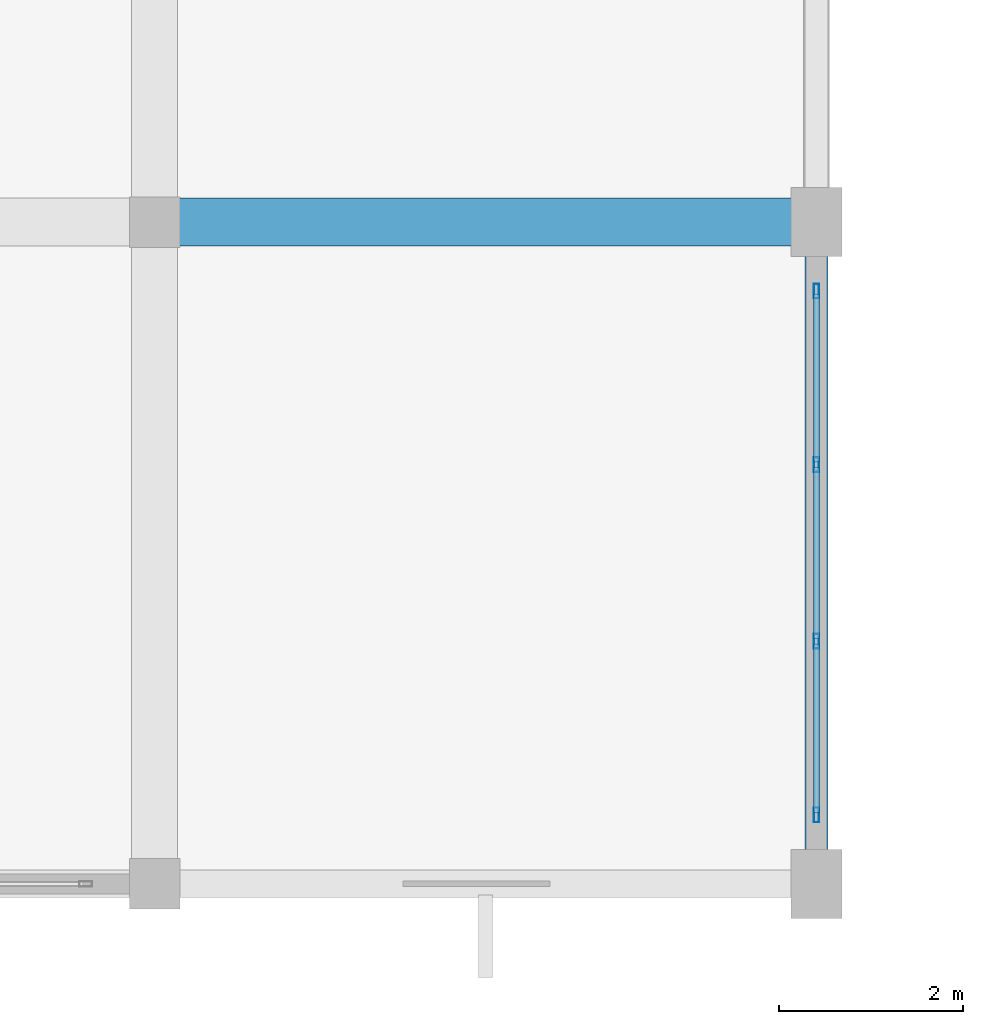
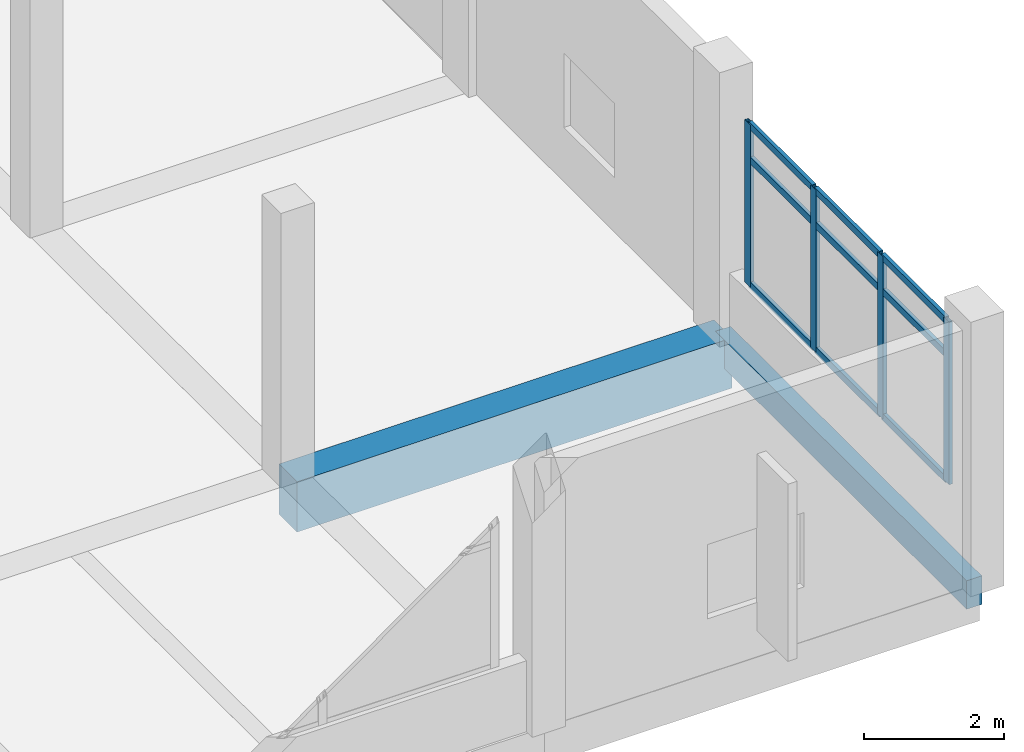
# One storey, part 87 of 140: 13 members, 2 beams, 1 element without a shape of its own.
"""IFC4 building model written with IfcOpenShell, lengths in metres."""

from ifc_helpers import new_model, si_unit, direction, frame, origin, origin_2d, place, context, subcontext, project, spatial, rectangle, hollow_rectangle, extrude, material, layer, layer_set, material_profile, profile_set, type_object, element, aggregate, save


model = new_model("IFC4")

# Units and contexts
model_context = context("Model", 3, precision=1e-05, world=origin(), true_north=direction((0.0, 1.0)))
body_context = subcontext(model_context, "Body", "Model", "MODEL_VIEW")
ifc_project = project(units=[si_unit("LENGTHUNIT", "METRE"), si_unit("AREAUNIT", "SQUARE_METRE"), si_unit("VOLUMEUNIT", "CUBIC_METRE"), si_unit("PLANEANGLEUNIT", "RADIAN"), si_unit("MASSUNIT", "GRAM", prefix="KILO")], contexts=[model_context])

# Site, building, storey
site_placement = place(None, origin())
site = spatial("IfcSite", under=ifc_project, at=site_placement, CompositionType="ELEMENT")
building_placement = place(site_placement, origin())
building = spatial("IfcBuilding", under=site, at=building_placement, Name="Seraya Terrace Polytechnic", CompositionType="ELEMENT")
storey_placement = place(building_placement, frame((0.0, 0.0, 9.60009765625)))
storey = spatial("IfcBuildingStorey", under=building, at=storey_placement, Name="L02", CompositionType="ELEMENT", Elevation=9.60009765625)

# Beam
ifc_material_1 = material(Name="Concrete C40/50", Category="concrete")
ifc_material_profile_1 = material_profile(ifc_material_1, rectangle(XDim=0.52001953125, YDim=0.8798828125, at=origin_2d()), Name="RC 520x880")
ifc_profile_set_1 = profile_set([ifc_material_profile_1], Name="Concrete C40/50")
beam_type_1 = type_object("IfcBeamType", Name="BM-04", PredefinedType="BEAM", material=ifc_profile_set_1)
beam_1_placement = place(storey_placement, frame((158.39990234375, 7.199951171875, -0.440185546875), z_axis=(1.0, 0.0, 0.0), x_axis=(0.0, 1.0, 0.0)))
element("IfcBeam", 1, at=beam_1_placement, inside=storey, type_object=beam_type_1, Name="Beam BM-04 L02 X (158.4..165.6, 7.2)", PredefinedType="BEAM", context=body_context, shape_type="SweptSolid", body=[
    extrude(rectangle(XDim=0.52001953125, YDim=0.8798828125, at=origin_2d()), origin(), (0.0, 0.0, 1.0), 7.2001953125),
])

# Curtain wall, members
ifc_material_2 = material(Name="Anodised aluminium EN AW-6063 T6", Category="aluminium")
ifc_layer = layer(ifc_material_2, 0.179931640625, Name="CW-32")
ifc_layer_set = layer_set([ifc_layer], Name="Anodised aluminium EN AW-6063 T6")
curtain_wall_type = type_object("IfcCurtainWallType", Name="CW-32", PredefinedType="NOTDEFINED", material=ifc_layer_set)
curtain_wall_placement = place(storey_placement, origin())
curtain_wall = element("IfcCurtainWall", 2, at=curtain_wall_placement, inside=storey, type_object=curtain_wall_type, Name="Unitised curtain wall CW-32 (CW-L02-068)", PredefinedType="NOTDEFINED")
ifc_material_profile_2 = material_profile(ifc_material_2, hollow_rectangle(XDim=0.06005859375, YDim=0.159912109375, WallThickness=0.00341796875, at=origin_2d()), Name="RHS 160x60x3.5")
ifc_profile_set_2 = profile_set([ifc_material_profile_2], Name="Anodised aluminium EN AW-6063 T6")
member_type_1 = type_object("IfcMemberType", Name="CWM-02", PredefinedType="MULLION", material=ifc_profile_set_2)
member_1_placement = place(storey_placement, frame((165.60009765625, 6.449951171875, 1.239990234375), z_axis=(0.0, 0.0, 1.0), x_axis=(1.0, 0.0, 0.0)))
member_1 = element("IfcMember", 3, at=member_1_placement, type_object=member_type_1, Name="CW-32 mullion 1", PredefinedType="MULLION", context=body_context, shape_type="SweptSolid", body=[
    extrude(hollow_rectangle(XDim=0.06005859375, YDim=0.159912109375, WallThickness=0.00341796875, at=origin_2d()), origin(), (0.0, 0.0, 1.0), 2.83984375),
])
member_2_placement = place(storey_placement, frame((165.60009765625, 4.56005859375, 1.239990234375), z_axis=(0.0, 0.0, 1.0), x_axis=(1.0, 0.0, 0.0)))
member_2 = element("IfcMember", 4, at=member_2_placement, type_object=member_type_1, Name="CW-32 mullion 2", PredefinedType="MULLION", context=body_context, shape_type="SweptSolid", body=[
    extrude(hollow_rectangle(XDim=0.06005859375, YDim=0.159912109375, WallThickness=0.00341796875, at=origin_2d()), origin(), (0.0, 0.0, 1.0), 2.83984375),
])
member_3_placement = place(storey_placement, frame((165.60009765625, 2.639892578125, 1.239990234375), z_axis=(0.0, 0.0, 1.0), x_axis=(1.0, 0.0, 0.0)))
member_3 = element("IfcMember", 5, at=member_3_placement, type_object=member_type_1, Name="CW-32 mullion 3", PredefinedType="MULLION", context=body_context, shape_type="SweptSolid", body=[
    extrude(hollow_rectangle(XDim=0.06005859375, YDim=0.159912109375, WallThickness=0.00341796875, at=origin_2d()), origin(), (0.0, 0.0, 1.0), 2.83984375),
])
member_4_placement = place(storey_placement, frame((165.60009765625, 0.75, 1.239990234375), z_axis=(0.0, 0.0, 1.0), x_axis=(1.0, 0.0, 0.0)))
member_4 = element("IfcMember", 6, at=member_4_placement, type_object=member_type_1, Name="CW-32 mullion 4", PredefinedType="MULLION", context=body_context, shape_type="SweptSolid", body=[
    extrude(hollow_rectangle(XDim=0.06005859375, YDim=0.159912109375, WallThickness=0.00341796875, at=origin_2d()), origin(), (0.0, 0.0, 1.0), 2.83984375),
])
ifc_material_profile_3 = material_profile(ifc_material_2, hollow_rectangle(XDim=0.06005859375, YDim=0.1201171875, WallThickness=0.003173828125, at=origin_2d()), Name="RHS 120x60x3.2")
ifc_profile_set_3 = profile_set([ifc_material_profile_3], Name="Anodised aluminium EN AW-6063 T6")
member_type_2 = type_object("IfcMemberType", Name="CWT-02", PredefinedType="USERDEFINED", material=ifc_profile_set_3)
member_5_placement = place(storey_placement, frame((165.60009765625, 6.419921875, 1.27001953125), z_axis=(0.0, -1.0, 0.0), x_axis=(1.0, 0.0, 0.0)))
member_5 = element("IfcMember", 7, at=member_5_placement, type_object=member_type_2, Name="CW-32 transom 1.1", ObjectType="TRANSOM", PredefinedType="USERDEFINED", context=body_context, shape_type="SweptSolid", body=[
    extrude(hollow_rectangle(XDim=0.06005859375, YDim=0.1201171875, WallThickness=0.003173828125, at=origin_2d()), origin(), (0.0, 0.0, 1.0), 1.829833984375),
])
member_6_placement = place(storey_placement, frame((165.60009765625, 6.419921875, 3.4599609375), z_axis=(0.0, -1.0, 0.0), x_axis=(1.0, 0.0, 0.0)))
member_6 = element("IfcMember", 8, at=member_6_placement, type_object=member_type_2, Name="CW-32 transom 1.2", ObjectType="TRANSOM", PredefinedType="USERDEFINED", context=body_context, shape_type="SweptSolid", body=[
    extrude(hollow_rectangle(XDim=0.06005859375, YDim=0.1201171875, WallThickness=0.003173828125, at=origin_2d()), origin(), (0.0, 0.0, 1.0), 1.829833984375),
])
member_7_placement = place(storey_placement, frame((165.60009765625, 6.419921875, 4.0498046875), z_axis=(0.0, -1.0, 0.0), x_axis=(1.0, 0.0, 0.0)))
member_7 = element("IfcMember", 9, at=member_7_placement, type_object=member_type_2, Name="CW-32 transom 1.3", ObjectType="TRANSOM", PredefinedType="USERDEFINED", context=body_context, shape_type="SweptSolid", body=[
    extrude(hollow_rectangle(XDim=0.06005859375, YDim=0.1201171875, WallThickness=0.003173828125, at=origin_2d()), origin(), (0.0, 0.0, 1.0), 1.829833984375),
])
member_8_placement = place(storey_placement, frame((165.60009765625, 4.530029296875, 1.27001953125), z_axis=(0.0, -1.0, 0.0), x_axis=(1.0, 0.0, 0.0)))
member_8 = element("IfcMember", 10, at=member_8_placement, type_object=member_type_2, Name="CW-32 transom 2.1", ObjectType="TRANSOM", PredefinedType="USERDEFINED", context=body_context, shape_type="SweptSolid", body=[
    extrude(hollow_rectangle(XDim=0.06005859375, YDim=0.1201171875, WallThickness=0.003173828125, at=origin_2d()), origin(), (0.0, 0.0, 1.0), 1.860107421875),
])
member_9_placement = place(storey_placement, frame((165.60009765625, 4.530029296875, 3.4599609375), z_axis=(0.0, -1.0, 0.0), x_axis=(1.0, 0.0, 0.0)))
member_9 = element("IfcMember", 11, at=member_9_placement, type_object=member_type_2, Name="CW-32 transom 2.2", ObjectType="TRANSOM", PredefinedType="USERDEFINED", context=body_context, shape_type="SweptSolid", body=[
    extrude(hollow_rectangle(XDim=0.06005859375, YDim=0.1201171875, WallThickness=0.003173828125, at=origin_2d()), origin(), (0.0, 0.0, 1.0), 1.860107421875),
])
member_10_placement = place(storey_placement, frame((165.60009765625, 4.530029296875, 4.0498046875), z_axis=(0.0, -1.0, 0.0), x_axis=(1.0, 0.0, 0.0)))
member_10 = element("IfcMember", 12, at=member_10_placement, type_object=member_type_2, Name="CW-32 transom 2.3", ObjectType="TRANSOM", PredefinedType="USERDEFINED", context=body_context, shape_type="SweptSolid", body=[
    extrude(hollow_rectangle(XDim=0.06005859375, YDim=0.1201171875, WallThickness=0.003173828125, at=origin_2d()), origin(), (0.0, 0.0, 1.0), 1.860107421875),
])
member_11_placement = place(storey_placement, frame((165.60009765625, 2.610107421875, 1.27001953125), z_axis=(0.0, -1.0, 0.0), x_axis=(1.0, 0.0, 0.0)))
member_11 = element("IfcMember", 13, at=member_11_placement, type_object=member_type_2, Name="CW-32 transom 3.1", ObjectType="TRANSOM", PredefinedType="USERDEFINED", context=body_context, shape_type="SweptSolid", body=[
    extrude(hollow_rectangle(XDim=0.06005859375, YDim=0.1201171875, WallThickness=0.003173828125, at=origin_2d()), origin(), (0.0, 0.0, 1.0), 1.830078125),
])
member_12_placement = place(storey_placement, frame((165.60009765625, 2.610107421875, 3.4599609375), z_axis=(0.0, -1.0, 0.0), x_axis=(1.0, 0.0, 0.0)))
member_12 = element("IfcMember", 14, at=member_12_placement, type_object=member_type_2, Name="CW-32 transom 3.2", ObjectType="TRANSOM", PredefinedType="USERDEFINED", context=body_context, shape_type="SweptSolid", body=[
    extrude(hollow_rectangle(XDim=0.06005859375, YDim=0.1201171875, WallThickness=0.003173828125, at=origin_2d()), origin(), (0.0, 0.0, 1.0), 1.830078125),
])
member_13_placement = place(storey_placement, frame((165.60009765625, 2.610107421875, 4.0498046875), z_axis=(0.0, -1.0, 0.0), x_axis=(1.0, 0.0, 0.0)))
member_13 = element("IfcMember", 15, at=member_13_placement, type_object=member_type_2, Name="CW-32 transom 3.3", ObjectType="TRANSOM", PredefinedType="USERDEFINED", context=body_context, shape_type="SweptSolid", body=[
    extrude(hollow_rectangle(XDim=0.06005859375, YDim=0.1201171875, WallThickness=0.003173828125, at=origin_2d()), origin(), (0.0, 0.0, 1.0), 1.830078125),
])
aggregate(curtain_wall, [member_1, member_2, member_3, member_4, member_5, member_6, member_7, member_8, member_9, member_10, member_11, member_12, member_13])

# Beam
ifc_material_profile_4 = material_profile(ifc_material_1, rectangle(XDim=0.25, YDim=0.5, at=origin_2d()), Name="RC 250x500")
ifc_profile_set_4 = profile_set([ifc_material_profile_4], Name="Concrete C40/50")
beam_type_2 = type_object("IfcBeamType", Name="SP-03", PredefinedType="SPANDREL", material=ifc_profile_set_4)
beam_2_placement = place(storey_placement, frame((165.60009765625, 0.0, -0.25), z_axis=(0.0, 1.0, 0.0), x_axis=(-1.0, 0.0, 0.0)))
element("IfcBeam", 16, at=beam_2_placement, inside=storey, type_object=beam_type_2, Name="Beam SP-03 L02 Y (165.6, 0.0..7.2)", PredefinedType="SPANDREL", context=body_context, shape_type="SweptSolid", body=[
    extrude(rectangle(XDim=0.25, YDim=0.5, at=origin_2d()), origin(), (0.0, 0.0, 1.0), 7.199951171875),
])

save(model, "model.ifc")
